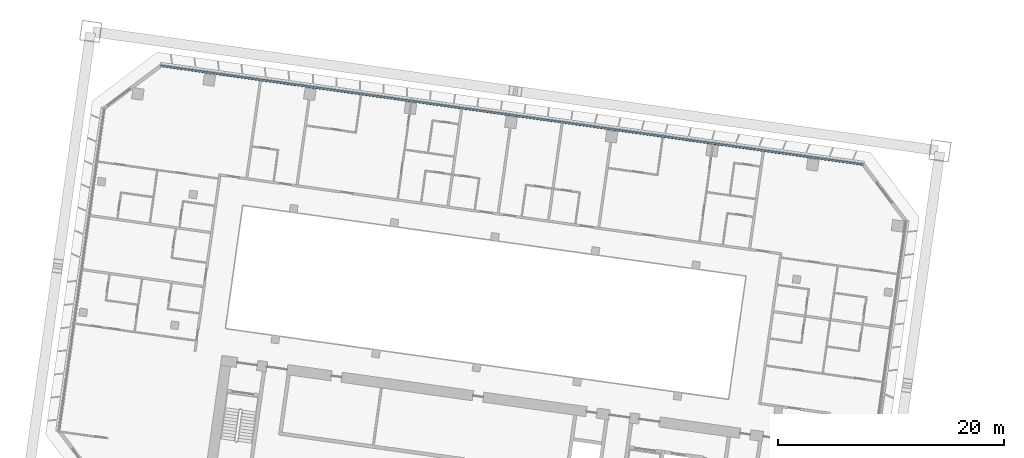
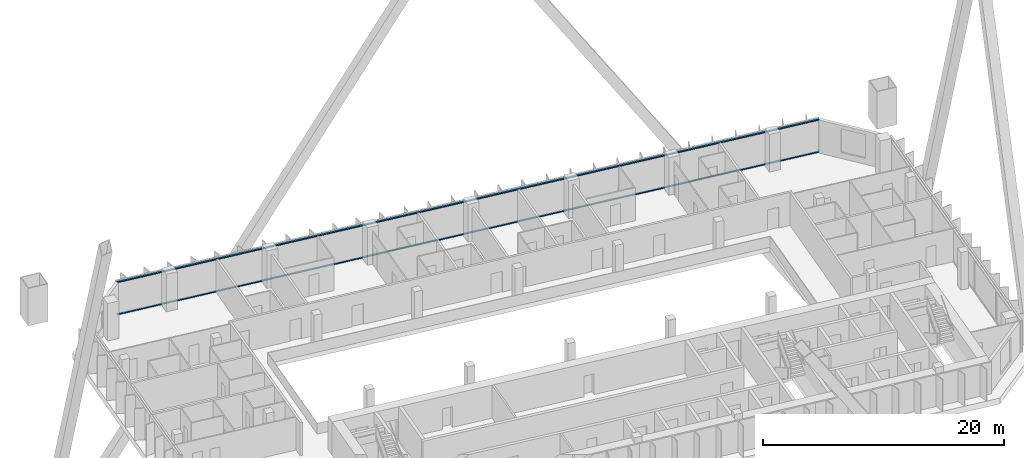
# One storey, part 11 of 49: 2 members, 1 element without a shape of its own.
"""IFC4 building model written with IfcOpenShell, lengths in metres."""

from ifc_helpers import new_model, si_unit, direction, frame, origin, origin_2d, place, context, subcontext, project, spatial, rectangle, extrude, material, material_profile, profile_set, type_object, element, aggregate, save


model = new_model("IFC4")

# Units and contexts
model_context = context("Model", 3, precision=1e-05, world=origin(), true_north=direction((0.0, 1.0)))
body_context = subcontext(model_context, "Body", "Model", "MODEL_VIEW")
ifc_project = project(units=[si_unit("LENGTHUNIT", "METRE"), si_unit("AREAUNIT", "SQUARE_METRE"), si_unit("VOLUMEUNIT", "CUBIC_METRE"), si_unit("PLANEANGLEUNIT", "RADIAN"), si_unit("MASSUNIT", "GRAM", prefix="KILO")], contexts=[model_context])

# Site, building, storey
site_placement = place(None, origin())
site = spatial("IfcSite", under=ifc_project, at=site_placement, CompositionType="ELEMENT")
building_placement = place(site_placement, origin())
building = spatial("IfcBuilding", under=site, at=building_placement, Name="Mirante Cascada Hotel Towers", CompositionType="ELEMENT")
storey_placement = place(building_placement, frame((0.0, 0.0, 66.1)))
storey = spatial("IfcBuildingStorey", under=building, at=storey_placement, Name="L13", CompositionType="ELEMENT", Elevation=66.1)

# Curtain wall, members
ifc_material_1 = material(Name="Aluminium mullion and transom frame with clear laminated glass", Category="aluminium")
curtain_wall_type = type_object("IfcCurtainWallType", Name="Ribbon curtain wall ECW1", PredefinedType="NOTDEFINED", material=ifc_material_1)
curtain_wall_placement = place(storey_placement, origin())
curtain_wall = element("IfcCurtainWall", 1, at=curtain_wall_placement, inside=storey, type_object=curtain_wall_type, Name="Front ribbon wall T1 L13", PredefinedType="NOTDEFINED")
ifc_material_2 = material(Name="Anodised aluminium extrusion", Category="aluminium")
ifc_material_profile = material_profile(ifc_material_2, rectangle(XDim=0.16, YDim=0.1, at=origin_2d()), Name="ECW1 TRANSOM 100x160")
ifc_profile_set = profile_set([ifc_material_profile], Name="Anodised aluminium extrusion")
member_type = type_object("IfcMemberType", Name="ECW1 transom 100x160", PredefinedType="USERDEFINED", material=ifc_profile_set)
member_1_placement = place(storey_placement, frame((-94.1582, 26.0521, 0.05), z_axis=(0.9902681, -0.1391728, 0.0), x_axis=(0.1391728, 0.9902681, 0.0)))
member_1 = element("IfcMember", 2, at=member_1_placement, type_object=member_type, Name="ECW1 sill transom", ObjectType="TRANSOM", PredefinedType="USERDEFINED", context=body_context, shape_type="SweptSolid", body=[
    extrude(rectangle(XDim=0.16, YDim=0.1, at=origin_2d()), origin(), (0.0, 0.0, 1.0), 62.8758),
])
member_2_placement = place(storey_placement, frame((-94.1582, 26.0521, 3.3), z_axis=(0.9902681, -0.1391728, 0.0), x_axis=(0.1391728, 0.9902681, 0.0)))
member_2 = element("IfcMember", 3, at=member_2_placement, type_object=member_type, Name="ECW1 head transom", ObjectType="TRANSOM", PredefinedType="USERDEFINED", context=body_context, shape_type="SweptSolid", body=[
    extrude(rectangle(XDim=0.16, YDim=0.1, at=origin_2d()), origin(), (0.0, 0.0, 1.0), 62.8758),
])
aggregate(curtain_wall, [member_1, member_2])

save(model, "model.ifc")
